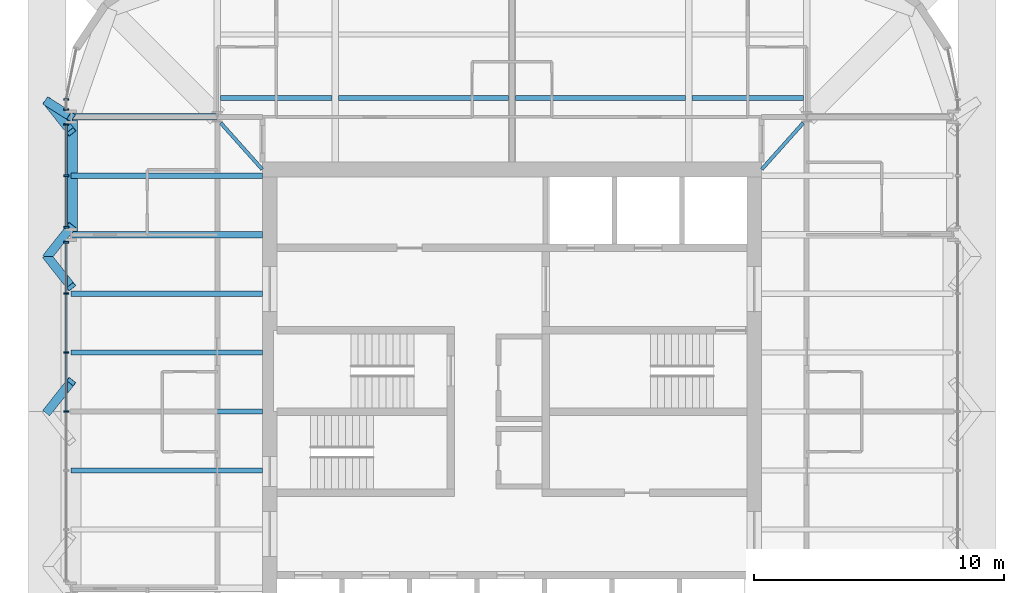
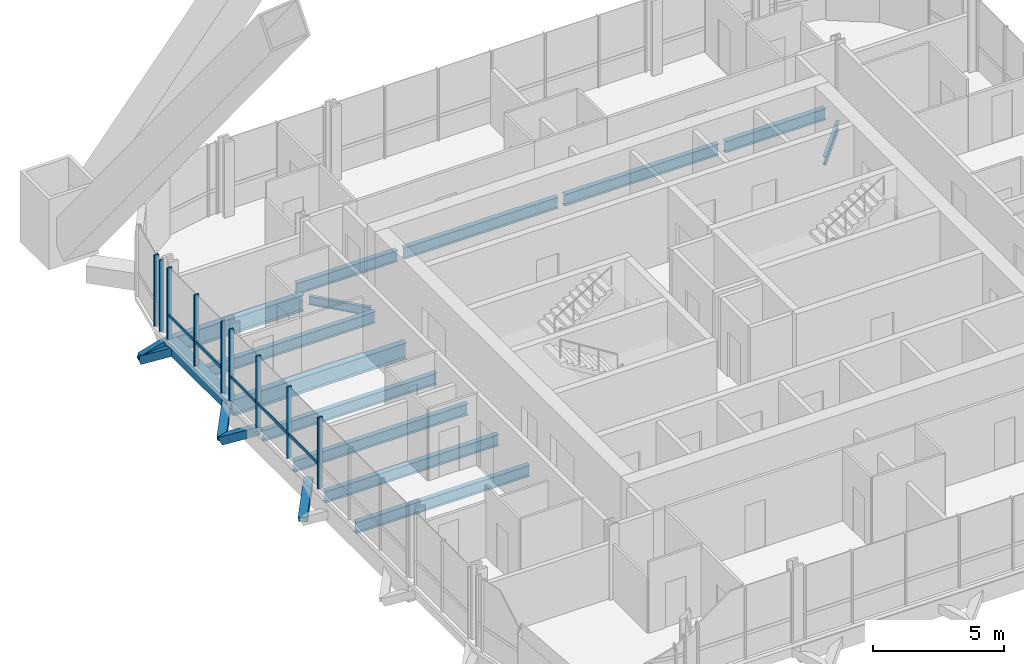
# One storey, part 6 of 23: 19 beams, 14 members, 3 elements without a shape of their own.
"""IFC4 building model written with IfcOpenShell, lengths in metres."""

from ifc_helpers import new_model, si_unit, direction, frame, origin, origin_2d, place, context, subcontext, project, spatial, rectangle, hollow_rectangle, i_section, extrude, material, material_profile, profile_set, type_object, element, aggregate, save


model = new_model("IFC4")

# Units and contexts
model_context = context("Model", 3, precision=1e-05, world=origin(), true_north=direction((0.0, 1.0)))
body_context = subcontext(model_context, "Body", "Model", "MODEL_VIEW")
ifc_project = project(units=[si_unit("LENGTHUNIT", "METRE"), si_unit("AREAUNIT", "SQUARE_METRE"), si_unit("VOLUMEUNIT", "CUBIC_METRE"), si_unit("PLANEANGLEUNIT", "RADIAN"), si_unit("MASSUNIT", "GRAM", prefix="KILO")], contexts=[model_context])

# Site, building, storey
site_placement = place(None, origin())
site = spatial("IfcSite", under=ifc_project, at=site_placement, CompositionType="ELEMENT")
building_placement = place(site_placement, origin())
building = spatial("IfcBuilding", under=site, at=building_placement, Name="Turquesa Mirador Hotel Tower", CompositionType="ELEMENT")
storey_placement = place(building_placement, frame((0.0, 0.0, 226.699951171875)))
storey = spatial("IfcBuildingStorey", under=building, at=storey_placement, Name="L61", CompositionType="ELEMENT", Elevation=226.699951171875)

# Beams
ifc_material_1 = material(Name="Steel ASTM A572 Grade 50", Category="steel")
ifc_material_profile_1 = material_profile(ifc_material_1, hollow_rectangle(XDim=0.5, YDim=0.5, WallThickness=0.031982421875, at=origin_2d()), Name="BOX500X500X32")
ifc_profile_set_1 = profile_set([ifc_material_profile_1], Name="Steel ASTM A572 Grade 50")
beam_type_1 = type_object("IfcBeamType", Name="BEAM BOX500X500X32", PredefinedType="BEAM", material=ifc_profile_set_1)
beam_1_placement = place(storey_placement, frame((37.35009765625, 52.080078125, -0.419921875), z_axis=(0.0, 1.0, 0.0), x_axis=(-1.0, 0.0, 0.0)))
element("IfcBeam", 1, at=beam_1_placement, inside=storey, type_object=beam_type_1, Name="EB-L61-W-R", PredefinedType="BEAM", context=body_context, shape_type="SweptSolid", body=[
    extrude(hollow_rectangle(XDim=0.5, YDim=0.5, WallThickness=0.031982421875, at=origin_2d()), origin(), (0.0, 0.0, 1.0), 4.719970703125),
])
ifc_material_2 = material(Name="Steel ASTM A992 Grade 50", Category="steel")
ifc_material_profile_2 = material_profile(ifc_material_2, i_section(OverallWidth=0.140380859375, OverallDepth=0.40380859375, WebThickness=0.007080078125, FlangeThickness=0.01123046875, at=origin_2d()), Name="W16X31")
ifc_profile_set_2 = profile_set([ifc_material_profile_2], Name="Steel ASTM A992 Grade 50")
beam_type_2 = type_object("IfcBeamType", Name="BEAM W16X31", PredefinedType="BEAM", material=ifc_profile_set_2)
for number, where, z_axis, x_axis, name in (
    (2, (66.656494140625, 56.55126953125, -0.371826171875), (-0.666806350186, -0.745231032198, 0.0), (0.745231032198, -0.666806350186, 0.0), "KT-L61-1"),
    (3, (43.343505859375, 56.55126953125, -0.371826171875), (0.666806350186, -0.745231032198, 0.0), (0.745231032198, 0.666806350186, 0.0), "KT-L61-2"),
):
    element("IfcBeam", number, at=place(storey_placement, frame(where, z_axis=z_axis, x_axis=x_axis)), inside=storey, type_object=beam_type_2, Name=name, PredefinedType="BEAM", context=body_context, shape_type="SweptSolid", body=[
        extrude(i_section(OverallWidth=0.140380859375, OverallDepth=0.40380859375, WebThickness=0.007080078125, FlangeThickness=0.01123046875, at=origin_2d()), origin(), (0.0, 0.0, 1.0), 2.484130859375),
    ])
ifc_material_3 = material(Name="Steel ASTM A992 Grade 50", Category="steel")
ifc_material_profile_3 = material_profile(ifc_material_3, i_section(OverallWidth=0.209228515625, OverallDepth=0.533447265625, WebThickness=0.01025390625, FlangeThickness=0.015625, at=origin_2d()), Name="W21X62")
ifc_profile_set_3 = profile_set([ifc_material_profile_3], Name="Steel ASTM A992 Grade 50")
beam_type_3 = type_object("IfcBeamType", Name="BEAM W21X62", PredefinedType="BEAM", material=ifc_profile_set_3)
beam_2_placement = place(storey_placement, frame((43.333251953125, 57.550048828125, -0.436767578125), z_axis=(1.0, 0.0, 0.0), x_axis=(0.0, 1.0, 0.0)))
element("IfcBeam", 4, at=beam_2_placement, inside=storey, type_object=beam_type_3, Name="IB-L61-N-1-0", PredefinedType="BEAM", context=body_context, shape_type="SweptSolid", body=[
    extrude(i_section(OverallWidth=0.209228515625, OverallDepth=0.533447265625, WebThickness=0.01025390625, FlangeThickness=0.015625, at=origin_2d()), origin(), (0.0, 0.0, 1.0), 4.453369140625),
])
for number, where, z_axis, x_axis, name in (
    (5, (48.053466796875, 57.550048828125, -0.436767578125), (1.0, 0.0, 0.0), (0.0, 1.0, 0.0), "IB-L61-N-1-1"),
    (6, (55.13330078125, 57.550048828125, -0.436767578125), (1.0, 0.0, 0.0), (0.0, 1.0, 0.0), "IB-L61-N-1-2"),
):
    element("IfcBeam", number, at=place(storey_placement, frame(where, z_axis=z_axis, x_axis=x_axis)), inside=storey, type_object=beam_type_3, Name=name, PredefinedType="BEAM", context=body_context, shape_type="SweptSolid", body=[
        extrude(i_section(OverallWidth=0.209228515625, OverallDepth=0.533447265625, WebThickness=0.01025390625, FlangeThickness=0.015625, at=origin_2d()), origin(), (0.0, 0.0, 1.0), 6.813232421875),
    ])
beam_3_placement = place(storey_placement, frame((62.21337890625, 57.550048828125, -0.436767578125), z_axis=(1.0, 0.0, 0.0), x_axis=(0.0, 1.0, 0.0)))
element("IfcBeam", 7, at=beam_3_placement, inside=storey, type_object=beam_type_3, Name="IB-L61-N-1-3", PredefinedType="BEAM", context=body_context, shape_type="SweptSolid", body=[
    extrude(i_section(OverallWidth=0.209228515625, OverallDepth=0.533447265625, WebThickness=0.01025390625, FlangeThickness=0.015625, at=origin_2d()), origin(), (0.0, 0.0, 1.0), 4.453369140625),
])
for number, where, z_axis, x_axis, name in (
    (8, (37.35009765625, 42.639892578125, -0.436767578125), (1.0, 0.0, 0.0), (0.0, 1.0, 0.0), "BM-L61-W--2.36"),
    (9, (37.35009765625, 45.0, -0.436767578125), (1.0, 0.0, 0.0), (0.0, 1.0, 0.0), "BM-L61-W-+0.00"),
    (10, (37.35009765625, 47.360107421875, -0.436767578125), (1.0, 0.0, 0.0), (0.0, 1.0, 0.0), "BM-L61-W-+2.36"),
    (11, (37.35009765625, 49.719970703125, -0.436767578125), (1.0, 0.0, 0.0), (0.0, 1.0, 0.0), "BM-L61-W-+4.72"),
    (12, (37.35009765625, 54.43994140625, -0.436767578125), (1.0, 0.0, 0.0), (0.0, 1.0, 0.0), "BM-L61-W-+9.44"),
):
    element("IfcBeam", number, at=place(storey_placement, frame(where, z_axis=z_axis, x_axis=x_axis)), inside=storey, type_object=beam_type_3, Name=name, PredefinedType="BEAM", context=body_context, shape_type="SweptSolid", body=[
        extrude(i_section(OverallWidth=0.209228515625, OverallDepth=0.533447265625, WebThickness=0.01025390625, FlangeThickness=0.015625, at=origin_2d()), origin(), (0.0, 0.0, 1.0), 7.64990234375),
    ])
ifc_material_4 = material(Name="Steel ASTM A992 Grade 50", Category="steel")
ifc_material_profile_4 = material_profile(ifc_material_4, i_section(OverallWidth=0.2666015625, OverallDepth=0.7568359375, WebThickness=0.013916015625, FlangeThickness=0.019287109375, at=origin_2d()), Name="W30X108")
ifc_profile_set_4 = profile_set([ifc_material_profile_4], Name="Steel ASTM A992 Grade 50")
beam_type_4 = type_object("IfcBeamType", Name="BEAM W30X108", PredefinedType="BEAM", material=ifc_profile_set_4)
beam_4_placement = place(storey_placement, frame((37.35009765625, 52.080078125, -0.54833984375), z_axis=(1.0, 0.0, 0.0), x_axis=(0.0, 1.0, 0.0)))
element("IfcBeam", 13, at=beam_4_placement, inside=storey, type_object=beam_type_4, Name="GD-L61-W-+7.08", PredefinedType="BEAM", context=body_context, shape_type="SweptSolid", body=[
    extrude(i_section(OverallWidth=0.2666015625, OverallDepth=0.7568359375, WebThickness=0.013916015625, FlangeThickness=0.019287109375, at=origin_2d()), origin(), (0.0, 0.0, 1.0), 7.64990234375),
])
beam_5_placement = place(storey_placement, frame((37.35009765625, 56.800048828125, -0.54833984375), z_axis=(1.0, 0.0, 0.0), x_axis=(0.0, 1.0, 0.0)))
element("IfcBeam", 14, at=beam_5_placement, inside=storey, type_object=beam_type_4, Name="GK-L61-W-+11.80", PredefinedType="BEAM", context=body_context, shape_type="SweptSolid", body=[
    extrude(i_section(OverallWidth=0.2666015625, OverallDepth=0.7568359375, WebThickness=0.013916015625, FlangeThickness=0.019287109375, at=origin_2d()), origin(), (0.0, 0.0, 1.0), 5.849853515625),
])
ifc_material_5 = material(Name="Steel ASTM A500 Grade C", Category="steel")
ifc_material_profile_5 = material_profile(ifc_material_5, hollow_rectangle(XDim=0.355712890625, YDim=0.355712890625, WallThickness=0.0146484375, at=origin_2d()), Name="HSS14X14X5/8")
ifc_profile_set_5 = profile_set([ifc_material_profile_5], Name="Steel ASTM A500 Grade C")
beam_type_5 = type_object("IfcBeamType", Name="BRACE STRUT HSS14X14X5/8", PredefinedType="BEAM", material=ifc_profile_set_5)
for number, where, z_axis, x_axis, name in (
    (15, (36.39990234375, 45.0, -1.199951171875), (0.542379264492, 0.684941954003, 0.486496919924), (-0.783971428146, 0.620796907089, 0.0), "Brace strut"),
    (16, (36.39990234375, 51.199951171875, -1.199951171875), (0.542379264492, -0.684941954003, 0.486496919924), (0.783971428146, 0.620796907089, 0.0), "Brace strut"),
    (17, (36.39990234375, 51.199951171875, -1.199951171875), (0.542379264492, 0.684941954003, 0.486496919924), (-0.783971428146, 0.620796907089, 0.0), "Brace strut"),
    (18, (36.39990234375, 57.39990234375, -1.199951171875), (0.542379264492, -0.684941954003, 0.486496919924), (0.783971428146, 0.620796907089, 0.0), "Brace strut"),
):
    element("IfcBeam", number, at=place(storey_placement, frame(where, z_axis=z_axis, x_axis=x_axis)), inside=storey, type_object=beam_type_5, Name=name, PredefinedType="BEAM", context=body_context, shape_type="SweptSolid", body=[
        extrude(hollow_rectangle(XDim=0.355712890625, YDim=0.355712890625, WallThickness=0.0146484375, at=origin_2d()), origin(), (0.0, 0.0, 1.0), 1.751953125),
    ])
beam_6_placement = place(storey_placement, frame((36.39990234375, 57.39990234375, -1.199951171875), z_axis=(0.673727626174, -0.425320857531, 0.604312215564), x_axis=(0.53382131913, 0.845597303237, 0.0)))
element("IfcBeam", 19, at=beam_6_placement, inside=storey, type_object=beam_type_5, Name="Brace strut", PredefinedType="BEAM", context=body_context, shape_type="SweptSolid", body=[
    extrude(hollow_rectangle(XDim=0.355712890625, YDim=0.355712890625, WallThickness=0.0146484375, at=origin_2d()), origin(), (0.0, 0.0, 1.0), 1.410400390625),
])

# Curtain wall, members
ifc_material_6 = material(Name="Aluminium extrusion", Category="aluminium")
curtain_wall_type = type_object("IfcCurtainWallType", Name="CW-4 SUITE FRITTED CURTAIN WALL", PredefinedType="USERDEFINED", material=ifc_material_6)
curtain_wall_1_placement = place(storey_placement, origin())
curtain_wall_1 = element("IfcCurtainWall", 20, at=curtain_wall_1_placement, inside=storey, type_object=curtain_wall_type, Name="CW-4 SUITE FRITTED CURTAIN WALL L61", ObjectType="CURTAIN WALL", PredefinedType="USERDEFINED")
ifc_material_7 = material(Name="Aluminium extrusion", Category="aluminium")
ifc_material_profile_6 = material_profile(ifc_material_7, rectangle(XDim=0.06494140625, YDim=0.199951171875, at=origin_2d()), Name="MULLION 65X200")
ifc_profile_set_6 = profile_set([ifc_material_profile_6], Name="Aluminium extrusion")
member_type_1 = type_object("IfcMemberType", Name="CW MULLION 65X200", PredefinedType="MULLION", material=ifc_profile_set_6)
member_1_placement = place(storey_placement, frame((37.14990234375, 57.5, 0.0), z_axis=(0.0, 0.0, 1.0), x_axis=(0.0, -1.0, 0.0)))
member_1 = element("IfcMember", 21, at=member_1_placement, type_object=member_type_1, Name="Mullion", PredefinedType="MULLION", context=body_context, shape_type="SweptSolid", body=[
    extrude(rectangle(XDim=0.06494140625, YDim=0.199951171875, at=origin_2d()), origin(), (0.0, 0.0, 1.0), 3.330078125),
])
member_2_placement = place(storey_placement, frame((37.14990234375, 57.099853515625, 0.0), z_axis=(0.0, 0.0, 1.0), x_axis=(0.0, -1.0, 0.0)))
member_2 = element("IfcMember", 22, at=member_2_placement, type_object=member_type_1, Name="Mullion", PredefinedType="MULLION", context=body_context, shape_type="SweptSolid", body=[
    extrude(rectangle(XDim=0.06494140625, YDim=0.199951171875, at=origin_2d()), origin(), (0.0, 0.0, 1.0), 3.330078125),
])
aggregate(curtain_wall_1, [member_1, member_2])

curtain_wall_2_placement = place(storey_placement, origin())
curtain_wall_2 = element("IfcCurtainWall", 23, at=curtain_wall_2_placement, inside=storey, type_object=curtain_wall_type, Name="CW-4 SUITE FRITTED CURTAIN WALL L61", ObjectType="CURTAIN WALL", PredefinedType="USERDEFINED")
member_3_placement = place(storey_placement, frame((37.14990234375, 56.5, 0.0), z_axis=(0.0, 0.0, 1.0), x_axis=(0.0, -1.0, 0.0)))
member_3 = element("IfcMember", 24, at=member_3_placement, type_object=member_type_1, Name="Mullion", PredefinedType="MULLION", context=body_context, shape_type="SweptSolid", body=[
    extrude(rectangle(XDim=0.06494140625, YDim=0.199951171875, at=origin_2d()), origin(), (0.0, 0.0, 1.0), 3.330078125),
])
member_4_placement = place(storey_placement, frame((37.14990234375, 54.43994140625, 0.0), z_axis=(0.0, 0.0, 1.0), x_axis=(0.0, -1.0, 0.0)))
member_4 = element("IfcMember", 25, at=member_4_placement, type_object=member_type_1, Name="Mullion", PredefinedType="MULLION", context=body_context, shape_type="SweptSolid", body=[
    extrude(rectangle(XDim=0.06494140625, YDim=0.199951171875, at=origin_2d()), origin(), (0.0, 0.0, 1.0), 3.330078125),
])
member_5_placement = place(storey_placement, frame((37.14990234375, 52.3798828125, 0.0), z_axis=(0.0, 0.0, 1.0), x_axis=(0.0, -1.0, 0.0)))
member_5 = element("IfcMember", 26, at=member_5_placement, type_object=member_type_1, Name="Mullion", PredefinedType="MULLION", context=body_context, shape_type="SweptSolid", body=[
    extrude(rectangle(XDim=0.06494140625, YDim=0.199951171875, at=origin_2d()), origin(), (0.0, 0.0, 1.0), 3.330078125),
])

curtain_wall_3_placement = place(storey_placement, origin())
curtain_wall_3 = element("IfcCurtainWall", 27, at=curtain_wall_3_placement, inside=storey, type_object=curtain_wall_type, Name="CW-4 SUITE FRITTED CURTAIN WALL L61", ObjectType="CURTAIN WALL", PredefinedType="USERDEFINED")
member_6_placement = place(storey_placement, frame((37.14990234375, 51.780029296875, 0.0), z_axis=(0.0, 0.0, 1.0), x_axis=(0.0, -1.0, 0.0)))
member_6 = element("IfcMember", 28, at=member_6_placement, type_object=member_type_1, Name="Mullion", PredefinedType="MULLION", context=body_context, shape_type="SweptSolid", body=[
    extrude(rectangle(XDim=0.06494140625, YDim=0.199951171875, at=origin_2d()), origin(), (0.0, 0.0, 1.0), 3.330078125),
])
member_7_placement = place(storey_placement, frame((37.14990234375, 49.719970703125, 0.0), z_axis=(0.0, 0.0, 1.0), x_axis=(0.0, -1.0, 0.0)))
member_7 = element("IfcMember", 29, at=member_7_placement, type_object=member_type_1, Name="Mullion", PredefinedType="MULLION", context=body_context, shape_type="SweptSolid", body=[
    extrude(rectangle(XDim=0.06494140625, YDim=0.199951171875, at=origin_2d()), origin(), (0.0, 0.0, 1.0), 3.330078125),
])
member_8_placement = place(storey_placement, frame((37.14990234375, 47.360107421875, 0.0), z_axis=(0.0, 0.0, 1.0), x_axis=(0.0, -1.0, 0.0)))
member_8 = element("IfcMember", 30, at=member_8_placement, type_object=member_type_1, Name="Mullion", PredefinedType="MULLION", context=body_context, shape_type="SweptSolid", body=[
    extrude(rectangle(XDim=0.06494140625, YDim=0.199951171875, at=origin_2d()), origin(), (0.0, 0.0, 1.0), 3.330078125),
])
member_9_placement = place(storey_placement, frame((37.14990234375, 45.0, 0.0), z_axis=(0.0, 0.0, 1.0), x_axis=(0.0, -1.0, 0.0)))
member_9 = element("IfcMember", 31, at=member_9_placement, type_object=member_type_1, Name="Mullion", PredefinedType="MULLION", context=body_context, shape_type="SweptSolid", body=[
    extrude(rectangle(XDim=0.06494140625, YDim=0.199951171875, at=origin_2d()), origin(), (0.0, 0.0, 1.0), 3.330078125),
])

# Member
ifc_material_8 = material(Name="Aluminium extrusion", Category="aluminium")
ifc_material_profile_7 = material_profile(ifc_material_8, rectangle(XDim=0.06494140625, YDim=0.14990234375, at=origin_2d()), Name="TRANSOM 65X150")
ifc_profile_set_7 = profile_set([ifc_material_profile_7], Name="Aluminium extrusion")
member_type_2 = type_object("IfcMemberType", Name="CW TRANSOM 65X150", PredefinedType="USERDEFINED", material=ifc_profile_set_7)
member_10_placement = place(storey_placement, frame((37.14990234375, 56.467529296875, 1.10009765625), z_axis=(0.0, -1.0, 0.0), x_axis=(1.0, 0.0, 0.0)))
member_10 = element("IfcMember", 32, at=member_10_placement, type_object=member_type_2, Name="Transom", ObjectType="TRANSOM", PredefinedType="USERDEFINED", context=body_context, shape_type="SweptSolid", body=[
    extrude(rectangle(XDim=0.06494140625, YDim=0.14990234375, at=origin_2d()), origin(), (0.0, 0.0, 1.0), 1.9951171875),
])

member_11_placement = place(storey_placement, frame((37.14990234375, 54.407470703125, 1.10009765625), z_axis=(0.0, -1.0, 0.0), x_axis=(1.0, 0.0, 0.0)))
member_11 = element("IfcMember", 33, at=member_11_placement, type_object=member_type_2, Name="Transom", ObjectType="TRANSOM", PredefinedType="USERDEFINED", context=body_context, shape_type="SweptSolid", body=[
    extrude(rectangle(XDim=0.06494140625, YDim=0.14990234375, at=origin_2d()), origin(), (0.0, 0.0, 1.0), 1.9951171875),
])

aggregate(curtain_wall_2, [member_3, member_4, member_5, member_10, member_11])

member_12_placement = place(storey_placement, frame((37.14990234375, 51.74755859375, 1.10009765625), z_axis=(0.0, -1.0, 0.0), x_axis=(1.0, 0.0, 0.0)))
member_12 = element("IfcMember", 34, at=member_12_placement, type_object=member_type_2, Name="Transom", ObjectType="TRANSOM", PredefinedType="USERDEFINED", context=body_context, shape_type="SweptSolid", body=[
    extrude(rectangle(XDim=0.06494140625, YDim=0.14990234375, at=origin_2d()), origin(), (0.0, 0.0, 1.0), 1.9951171875),
])

member_13_placement = place(storey_placement, frame((37.14990234375, 49.6875, 1.10009765625), z_axis=(0.0, -1.0, 0.0), x_axis=(1.0, 0.0, 0.0)))
member_13 = element("IfcMember", 35, at=member_13_placement, type_object=member_type_2, Name="Transom", ObjectType="TRANSOM", PredefinedType="USERDEFINED", context=body_context, shape_type="SweptSolid", body=[
    extrude(rectangle(XDim=0.06494140625, YDim=0.14990234375, at=origin_2d()), origin(), (0.0, 0.0, 1.0), 2.294921875),
])

member_14_placement = place(storey_placement, frame((37.14990234375, 47.327392578125, 1.10009765625), z_axis=(0.0, -1.0, 0.0), x_axis=(1.0, 0.0, 0.0)))
member_14 = element("IfcMember", 36, at=member_14_placement, type_object=member_type_2, Name="Transom", ObjectType="TRANSOM", PredefinedType="USERDEFINED", context=body_context, shape_type="SweptSolid", body=[
    extrude(rectangle(XDim=0.06494140625, YDim=0.14990234375, at=origin_2d()), origin(), (0.0, 0.0, 1.0), 2.294921875),
])

aggregate(curtain_wall_3, [member_6, member_7, member_8, member_9, member_12, member_13, member_14])

save(model, "model.ifc")
